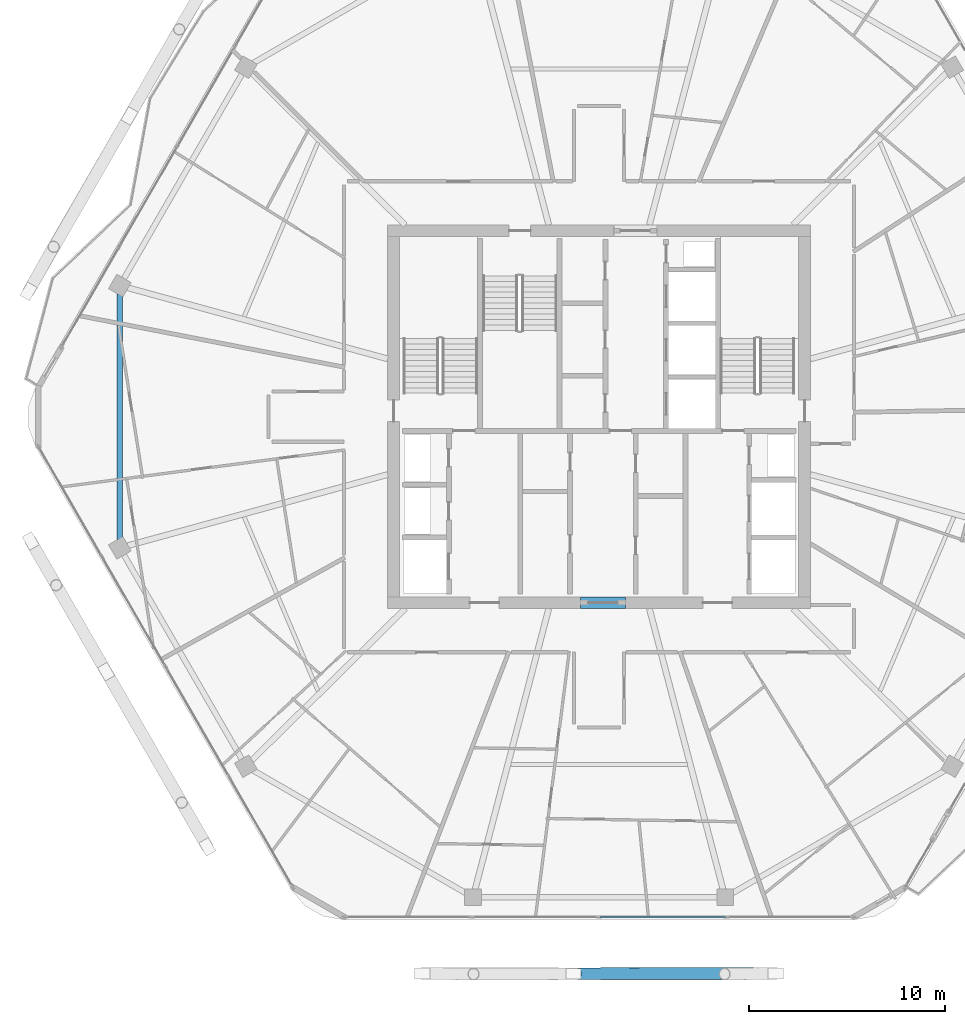
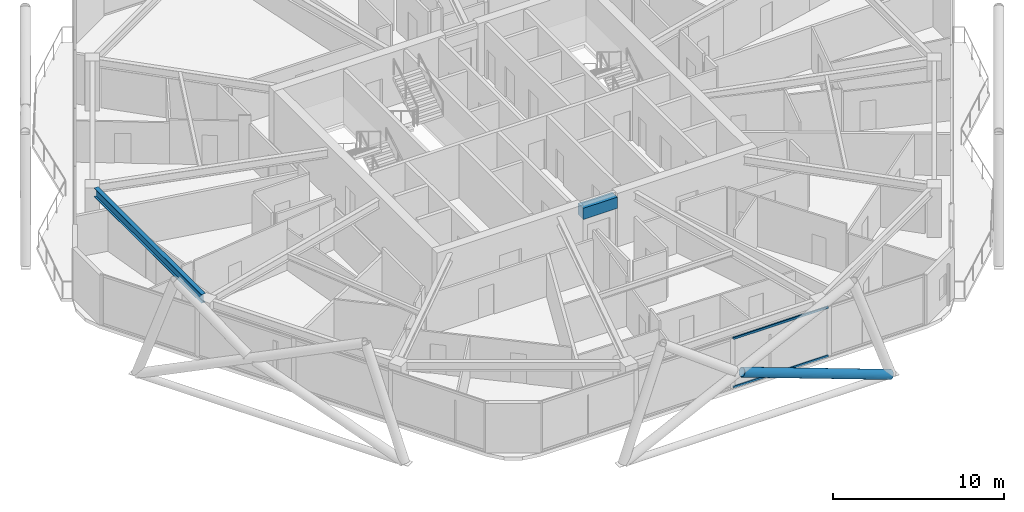
# One storey, part 7 of 29: 3 members, 2 beams, 1 element without a shape of its own.
"""IFC4 building model written with IfcOpenShell, lengths in metres."""

from ifc_helpers import new_model, si_unit, direction, frame, origin, origin_2d, place, context, subcontext, project, spatial, rectangle, hollow_rectangle, hollow_circle, i_section, extrude, material, material_profile, profile_set, type_object, element, aggregate, save


model = new_model("IFC4")

# Units and contexts
model_context = context("Model", 3, precision=1e-05, world=origin(), true_north=direction((0.0, 1.0)))
body_context = subcontext(model_context, "Body", "Model", "MODEL_VIEW")
ifc_project = project(units=[si_unit("LENGTHUNIT", "METRE"), si_unit("AREAUNIT", "SQUARE_METRE"), si_unit("VOLUMEUNIT", "CUBIC_METRE"), si_unit("PLANEANGLEUNIT", "RADIAN"), si_unit("MASSUNIT", "GRAM", prefix="KILO")], contexts=[model_context])

# Site, building, storey
site_placement = place(None, origin())
site = spatial("IfcSite", under=ifc_project, at=site_placement, CompositionType="ELEMENT")
building_placement = place(site_placement, origin())
building = spatial("IfcBuilding", under=site, at=building_placement, Name="Zuhravey Tower", CompositionType="ELEMENT")
storey_placement = place(building_placement, frame((0.0, 0.0, 292.0)))
storey = spatial("IfcBuildingStorey", under=building, at=storey_placement, Name="L74", CompositionType="ELEMENT", Elevation=292.0)

# Beam
ifc_material_1 = material(Name="Concrete C50/60", Category="concrete")
ifc_material_profile_1 = material_profile(ifc_material_1, rectangle(XDim=0.60009765625, YDim=0.800048828125, at=origin_2d()), Name="RC-600x800")
ifc_profile_set_1 = profile_set([ifc_material_profile_1], Name="Concrete C50/60")
beam_type_1 = type_object("IfcBeamType", Name="Core Coupling Beam RC600x800", PredefinedType="LINTEL", material=ifc_profile_set_1)
beam_1_placement = place(storey_placement, frame((35.052001953125, 22.5, 3.14990234375), z_axis=(1.0, 0.0, 0.0), x_axis=(0.0, 1.0, 0.0)))
element("IfcBeam", 1, at=beam_1_placement, inside=storey, type_object=beam_type_1, Name="L74 CB2 BM-L74-CB-S", PredefinedType="LINTEL", context=body_context, shape_type="SweptSolid", body=[
    extrude(rectangle(XDim=0.60009765625, YDim=0.800048828125, at=origin_2d()), origin(), (0.0, 0.0, 1.0), 2.2958984375),
])

# Curtain wall, members
ifc_material_2 = material(Name="Thermally broken anodised aluminium", Category="aluminium")
curtain_wall_type = type_object("IfcCurtainWallType", Name="Zone 3-4 High-Rise Curtain Wall CW4", PredefinedType="NOTDEFINED", material=ifc_material_2)
curtain_wall_placement = place(storey_placement, origin())
curtain_wall = element("IfcCurtainWall", 2, at=curtain_wall_placement, inside=storey, type_object=curtain_wall_type, Name="L74 CW4 CW-L74-F5-1", PredefinedType="NOTDEFINED")
ifc_material_3 = material(Name="Anodised aluminium", Category="aluminium")
ifc_material_profile_2 = material_profile(ifc_material_3, hollow_rectangle(XDim=0.090087890625, YDim=0.14990234375, WallThickness=0.0048828125, at=origin_2d()), Name="ALU-RHS-90x150x5")
ifc_profile_set_2 = profile_set([ifc_material_profile_2], Name="Anodised aluminium")
member_type_1 = type_object("IfcMemberType", Name="Curtain-Wall Transom 90x150", PredefinedType="USERDEFINED", material=ifc_profile_set_2)
member_1_placement = place(storey_placement, frame((42.46142578125, 6.436279296875, 0.044921875), z_axis=(-1.0, 0.0, 0.0), x_axis=(0.0, -1.0, 0.0)))
member_1 = element("IfcMember", 3, at=member_1_placement, type_object=member_type_1, Name="CW4 transom 2.1", ObjectType="TRANSOM", PredefinedType="USERDEFINED", context=body_context, shape_type="SweptSolid", body=[
    extrude(hollow_rectangle(XDim=0.090087890625, YDim=0.14990234375, WallThickness=0.0048828125, at=origin_2d()), origin(), (0.0, 0.0, 1.0), 6.41650390625),
])
member_2_placement = place(storey_placement, frame((42.46142578125, 6.436279296875, 3.5048828125), z_axis=(-1.0, 0.0, 0.0), x_axis=(0.0, -1.0, 0.0)))
member_2 = element("IfcMember", 4, at=member_2_placement, type_object=member_type_1, Name="CW4 transom 2.2", ObjectType="TRANSOM", PredefinedType="USERDEFINED", context=body_context, shape_type="SweptSolid", body=[
    extrude(hollow_rectangle(XDim=0.090087890625, YDim=0.14990234375, WallThickness=0.0048828125, at=origin_2d()), origin(), (0.0, 0.0, 1.0), 6.41650390625),
])
aggregate(curtain_wall, [member_1, member_2])

# Member
ifc_material_4 = material(Name="Steel SM355", Category="steel")
ifc_material_profile_3 = material_profile(ifc_material_4, hollow_circle(Radius=0.3046875, WallThickness=0.028076171875, at=origin_2d()), Name="CHS-609.6x28")
ifc_profile_set_3 = profile_set([ifc_material_profile_3], Name="Steel SM355")
member_type_2 = type_object("IfcMemberType", Name="Exoskeleton Zone 3 Diagrid CHS610x28", PredefinedType="BRACE", material=ifc_profile_set_3)
member_3_placement = place(storey_placement, frame((44.99072265625, 3.556396484375, -0.449951171875), z_axis=(-0.938619036847, -0.001371581642, 0.344952782903), x_axis=(0.001461274621, -0.999998932338, 0.0)))
element("IfcMember", 5, at=member_3_placement, inside=storey, type_object=member_type_2, Name="L74 Face 5 Split Diagrid Brace 3A", PredefinedType="BRACE", context=body_context, shape_type="SweptSolid", body=[
    extrude(hollow_circle(Radius=0.3046875, WallThickness=0.028076171875, at=origin_2d()), origin(), (0.0, 0.0, 1.0), 10.679931640625),
])

# Beam
ifc_material_profile_4 = material_profile(ifc_material_4, i_section(OverallWidth=0.280029296875, OverallDepth=0.6201171875, WebThickness=0.011962890625, FlangeThickness=0.02001953125, at=origin_2d()), Name="H-620x280x12x20")
ifc_profile_set_4 = profile_set([ifc_material_profile_4], Name="Steel SM355")
beam_type_2 = type_object("IfcBeamType", Name="Perimeter Ring Beam H620x280", PredefinedType="BEAM", material=ifc_profile_set_4)
beam_2_placement = place(storey_placement, frame((11.515380859375, 38.27099609375, 3.239990234375), z_axis=(0.0, -1.0, 0.0), x_axis=(1.0, 0.0, 0.0)))
element("IfcBeam", 6, at=beam_2_placement, inside=storey, type_object=beam_type_2, Name="L74 PB3 BM-L74-PB-06", PredefinedType="BEAM", context=body_context, shape_type="SweptSolid", body=[
    extrude(i_section(OverallWidth=0.280029296875, OverallDepth=0.6201171875, WebThickness=0.011962890625, FlangeThickness=0.02001953125, at=origin_2d()), origin(), (0.0, 0.0, 1.0), 12.5419921875),
])

save(model, "model.ifc")
